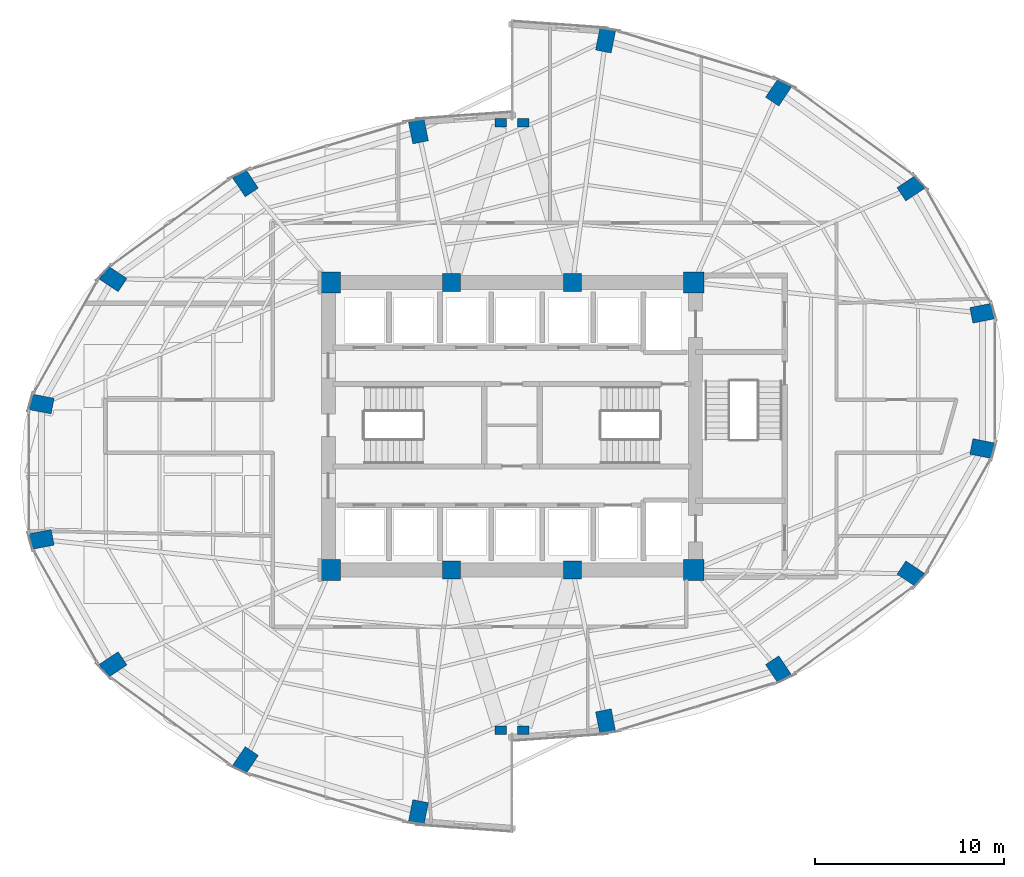
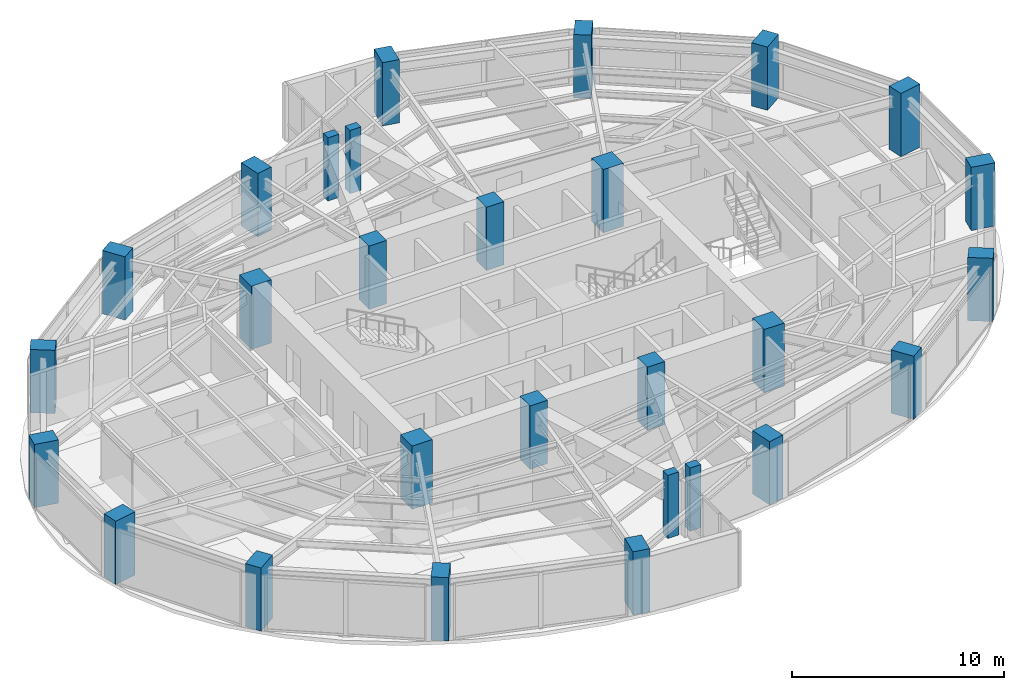
# One storey, part 1 of 24: 28 columns.
"""IFC4 building model written with IfcOpenShell, lengths in metres."""

from ifc_helpers import new_model, si_unit, direction, frame, origin, origin_2d, place, context, subcontext, project, spatial, rectangle, extrude, material, material_profile, profile_set, type_object, element, save


model = new_model("IFC4")

# Units and contexts
model_context = context("Model", 3, precision=1e-05, world=origin(), true_north=direction((0.0, 1.0)))
body_context = subcontext(model_context, "Body", "Model", "MODEL_VIEW")
ifc_project = project(units=[si_unit("LENGTHUNIT", "METRE"), si_unit("AREAUNIT", "SQUARE_METRE"), si_unit("VOLUMEUNIT", "CUBIC_METRE"), si_unit("PLANEANGLEUNIT", "RADIAN"), si_unit("MASSUNIT", "GRAM", prefix="KILO")], contexts=[model_context])

# Site, building, storey
site_placement = place(None, origin())
site = spatial("IfcSite", under=ifc_project, at=site_placement, CompositionType="ELEMENT")
building_placement = place(site_placement, origin())
building = spatial("IfcBuilding", under=site, at=building_placement, Name="Lazwardi Medical Tower", CompositionType="ELEMENT")
storey_placement = place(building_placement, frame((0.0, 0.0, 129.16796875)))
storey = spatial("IfcBuildingStorey", under=building, at=storey_placement, Name="L33", CompositionType="ELEMENT", Elevation=129.16796875)

# Columns
ifc_material_1 = material(Name="Concrete C80/95", Category="concrete")
ifc_material_profile_1 = material_profile(ifc_material_1, rectangle(XDim=1.10009765625, YDim=1.10009765625, at=origin_2d()), Name="RC 1100x1100")
ifc_profile_set_1 = profile_set([ifc_material_profile_1], Name="Concrete C80/95")
column_type_1 = type_object("IfcColumnType", Name="COL-CC-L", PredefinedType="COLUMN", material=ifc_profile_set_1)
for number, where, z_axis, x_axis, name in (
    (1, (26.39990234375, 20.39990234375, 0.0), (0.0, 0.0, 1.0), (1.0, 0.0, 0.0), "Core column CC-01 CC1 L33"),
    (2, (45.60009765625, 20.39990234375, 0.0), (0.0, 0.0, 1.0), (1.0, 0.0, 0.0), "Core column CC-01 CC4 L33"),
    (3, (45.60009765625, 35.60009765625, 0.0), (0.0, 0.0, 1.0), (1.0, 0.0, 0.0), "Core column CC-01 CC5 L33"),
    (4, (26.39990234375, 35.60009765625, 0.0), (0.0, 0.0, 1.0), (1.0, 0.0, 0.0), "Core column CC-01 CC8 L33"),
):
    element("IfcColumn", number, at=place(storey_placement, frame(where, z_axis=z_axis, x_axis=x_axis)), inside=storey, type_object=column_type_1, Name=name, PredefinedType="COLUMN", context=body_context, shape_type="SweptSolid", body=[
        extrude(rectangle(XDim=1.10009765625, YDim=1.10009765625, at=origin_2d()), origin(), (0.0, 0.0, 1.0), 3.64794921875),
    ])
ifc_material_2 = material(Name="Concrete C70/85", Category="concrete")
ifc_material_profile_2 = material_profile(ifc_material_2, rectangle(XDim=0.949951171875, YDim=0.949951171875, at=origin_2d()), Name="RC 950x950")
ifc_profile_set_2 = profile_set([ifc_material_profile_2], Name="Concrete C70/85")
column_type_2 = type_object("IfcColumnType", Name="COL-CC-M", PredefinedType="COLUMN", material=ifc_profile_set_2)
for number, where, z_axis, x_axis, name in (
    (5, (32.800048828125, 20.39990234375, 0.0), (0.0, 0.0, 1.0), (1.0, 0.0, 0.0), "Core column CC-02 CC2 L33"),
    (6, (39.199951171875, 20.39990234375, 0.0), (0.0, 0.0, 1.0), (1.0, 0.0, 0.0), "Core column CC-02 CC3 L33"),
    (7, (39.199951171875, 35.60009765625, 0.0), (0.0, 0.0, 1.0), (1.0, 0.0, 0.0), "Core column CC-02 CC6 L33"),
    (8, (32.800048828125, 35.60009765625, 0.0), (0.0, 0.0, 1.0), (1.0, 0.0, 0.0), "Core column CC-02 CC7 L33"),
):
    element("IfcColumn", number, at=place(storey_placement, frame(where, z_axis=z_axis, x_axis=x_axis)), inside=storey, type_object=column_type_2, Name=name, PredefinedType="COLUMN", context=body_context, shape_type="SweptSolid", body=[
        extrude(rectangle(XDim=0.949951171875, YDim=0.949951171875, at=origin_2d()), origin(), (0.0, 0.0, 1.0), 3.64794921875),
    ])
ifc_material_profile_3 = material_profile(ifc_material_2, rectangle(XDim=1.199951171875, YDim=0.840087890625, at=origin_2d()), Name="CFT-RECT 1200x840")
ifc_profile_set_3 = profile_set([ifc_material_profile_3], Name="Concrete C70/85")
column_type_3 = type_object("IfcColumnType", Name="COL-MC-Z2", PredefinedType="COLUMN", material=ifc_profile_set_3)
for number, where, z_axis, x_axis, name in (
    (9, (40.945556640625, 12.402587890625, 0.0), (0.0, 0.0, 1.0), (0.195090322016, -0.980785280403, 0.0), "Mega column MC-04 M01 L33"),
    (10, (50.083740234375, 15.142578125, 0.0), (0.0, 0.0, 1.0), (0.55557023302, -0.831469612303, 0.0), "Mega column MC-04 M02 L33"),
    (11, (57.077880859375, 20.205322265625, 0.0), (0.0, 0.0, 1.0), (0.831469612303, -0.55557023302, 0.0), "Mega column MC-04 M03 L33"),
    (12, (60.86279296875, 26.820068359375, 0.0), (0.0, 0.0, 1.0), (0.980785280403, -0.195090322016, 0.0), "Mega column MC-04 M04 L33"),
    (13, (60.86279296875, 33.97998046875, 0.0), (0.0, 0.0, 1.0), (0.980785280403, 0.195090322016, 0.0), "Mega column MC-04 M05 L33"),
    (14, (57.077880859375, 40.5947265625, 0.0), (0.0, 0.0, 1.0), (0.831469612303, 0.55557023302, 0.0), "Mega column MC-04 M06 L33"),
    (15, (50.083740234375, 45.657470703125, 0.0), (0.0, 0.0, 1.0), (0.55557023302, 0.831469612303, 0.0), "Mega column MC-04 M07 L33"),
    (16, (40.945556640625, 48.3974609375, 0.0), (0.0, 0.0, 1.0), (0.195090322016, 0.980785280403, 0.0), "Mega column MC-04 M08 L33"),
    (17, (31.054443359375, 43.597412109375, 0.0), (0.0, 0.0, 1.0), (-0.195090322016, 0.980785280403, 0.0), "Mega column MC-04 M09 L33"),
    (18, (21.916259765625, 40.857421875, 0.0), (0.0, 0.0, 1.0), (-0.55557023302, 0.831469612303, 0.0), "Mega column MC-04 M10 L33"),
    (19, (14.922119140625, 35.794677734375, 0.0), (0.0, 0.0, 1.0), (-0.831469612303, 0.55557023302, 0.0), "Mega column MC-04 M11 L33"),
    (20, (11.13720703125, 29.179931640625, 0.0), (0.0, 0.0, 1.0), (-0.980785280403, 0.195090322016, 0.0), "Mega column MC-04 M12 L33"),
    (21, (11.13720703125, 22.02001953125, 0.0), (0.0, 0.0, 1.0), (-0.980785280403, -0.195090322016, 0.0), "Mega column MC-04 M13 L33"),
    (22, (14.922119140625, 15.4052734375, 0.0), (0.0, 0.0, 1.0), (-0.831469612303, -0.55557023302, 0.0), "Mega column MC-04 M14 L33"),
    (23, (21.916259765625, 10.342529296875, 0.0), (0.0, 0.0, 1.0), (-0.55557023302, -0.831469612303, 0.0), "Mega column MC-04 M15 L33"),
    (24, (31.054443359375, 7.6025390625, 0.0), (0.0, 0.0, 1.0), (-0.195090322016, -0.980785280403, 0.0), "Mega column MC-04 M16 L33"),
):
    element("IfcColumn", number, at=place(storey_placement, frame(where, z_axis=z_axis, x_axis=x_axis)), inside=storey, type_object=column_type_3, Name=name, PredefinedType="COLUMN", context=body_context, shape_type="SweptSolid", body=[
        extrude(rectangle(XDim=1.199951171875, YDim=0.840087890625, at=origin_2d()), origin(), (0.0, 0.0, 1.0), 3.64794921875),
    ])
ifc_material_3 = material(Name="Concrete C60/75", Category="concrete")
ifc_material_profile_4 = material_profile(ifc_material_3, rectangle(XDim=0.60009765625, YDim=0.449951171875, at=origin_2d()), Name="RC 600x450")
ifc_profile_set_4 = profile_set([ifc_material_profile_4], Name="Concrete C60/75")
column_type_4 = type_object("IfcColumnType", Name="COL-PL-IW", PredefinedType="PILASTER", material=ifc_profile_set_4)
for number, where, z_axis, x_axis, name in (
    (25, (35.39990234375, 44.050048828125, 0.0), (0.0, 0.0, 1.0), (1.0, 0.0, 0.0), "Iwan pilaster column PL-C1 PL1 L33"),
    (26, (36.60009765625, 44.050048828125, 0.0), (0.0, 0.0, 1.0), (1.0, 0.0, 0.0), "Iwan pilaster column PL-C1 PL2 L33"),
    (27, (35.39990234375, 11.949951171875, 0.0), (0.0, 0.0, 1.0), (1.0, 0.0, 0.0), "Iwan pilaster column PL-C1 PL3 L33"),
    (28, (36.60009765625, 11.949951171875, 0.0), (0.0, 0.0, 1.0), (1.0, 0.0, 0.0), "Iwan pilaster column PL-C1 PL4 L33"),
):
    element("IfcColumn", number, at=place(storey_placement, frame(where, z_axis=z_axis, x_axis=x_axis)), inside=storey, type_object=column_type_4, Name=name, PredefinedType="PILASTER", context=body_context, shape_type="SweptSolid", body=[
        extrude(rectangle(XDim=0.60009765625, YDim=0.449951171875, at=origin_2d()), origin(), (0.0, 0.0, 1.0), 3.64794921875),
    ])

save(model, "model.ifc")
